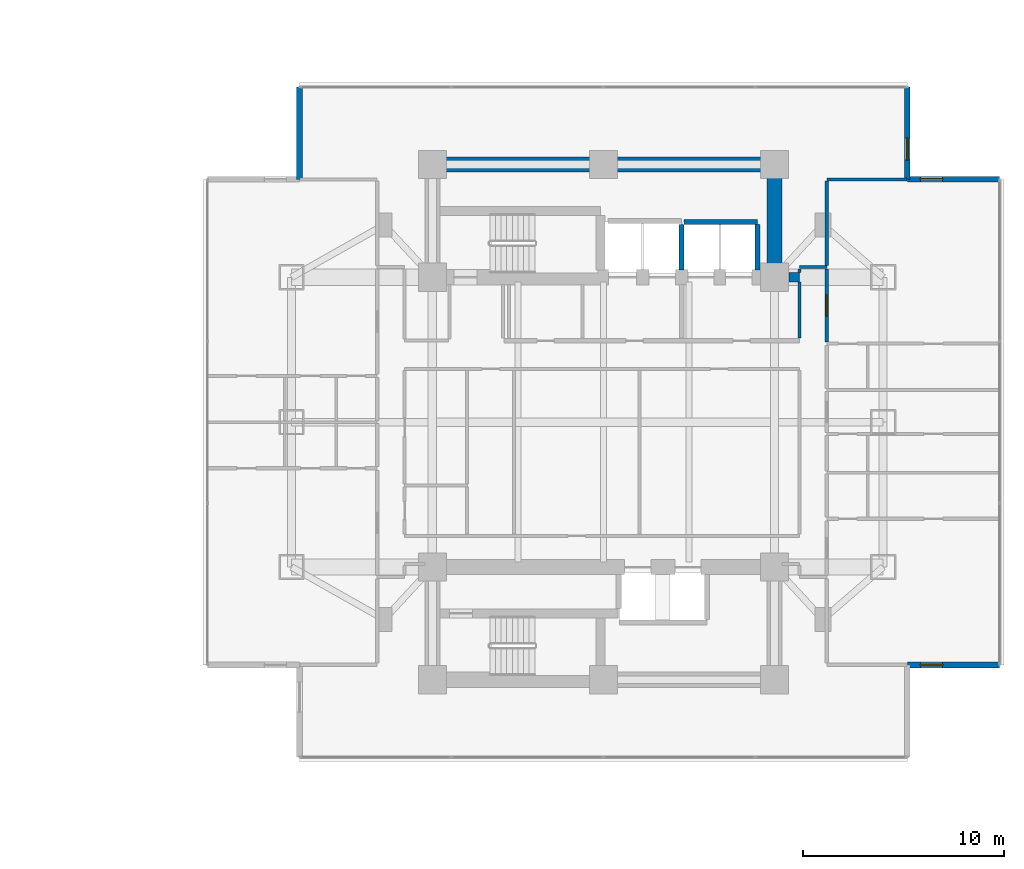
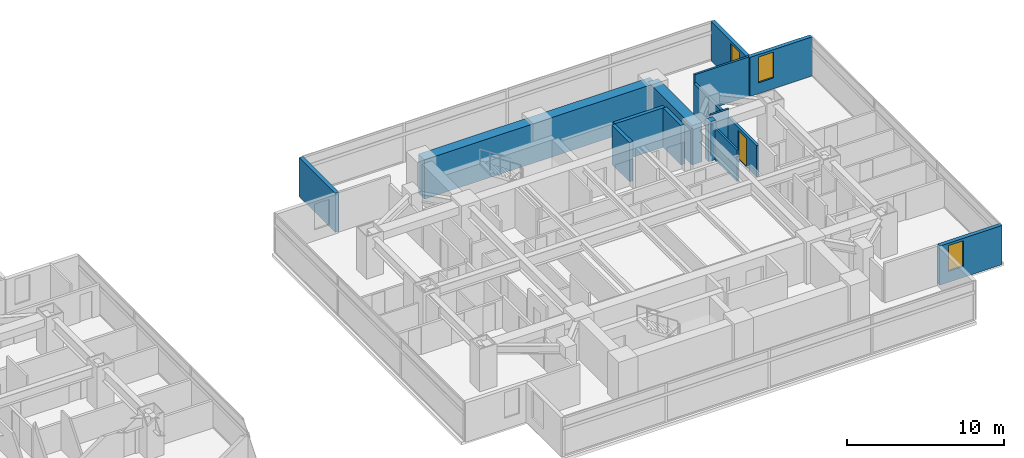
# One storey, part 20 of 26: 16 walls, 3 windows, 1 door, 4 openings.
"""IFC4 building model written with IfcOpenShell, lengths in metres."""

from ifc_helpers import new_model, si_unit, direction, frame, frame_2d, origin, place, context, subcontext, project, spatial, rectangle, extrude, material, layer, layer_set, type_object, element, fill, save


model = new_model("IFC4")

# Units and contexts
model_context = context("Model", 3, precision=1e-05, world=origin(), true_north=direction((0.0, 1.0)))
body_context = subcontext(model_context, "Body", "Model", "MODEL_VIEW")
ifc_project = project(units=[si_unit("LENGTHUNIT", "METRE"), si_unit("AREAUNIT", "SQUARE_METRE"), si_unit("VOLUMEUNIT", "CUBIC_METRE"), si_unit("PLANEANGLEUNIT", "RADIAN"), si_unit("MASSUNIT", "GRAM", prefix="KILO")], contexts=[model_context])

# Site, building, storey
site_placement = place(None, origin())
site = spatial("IfcSite", under=ifc_project, at=site_placement, CompositionType="ELEMENT")
building_placement = place(site_placement, origin())
building = spatial("IfcBuilding", under=site, at=building_placement, Name="Mirazonda Arch Towers", CompositionType="ELEMENT")
storey_placement = place(building_placement, frame((0.0, 0.0, 48.800048828125)))
storey = spatial("IfcBuildingStorey", under=building, at=storey_placement, Name="L13", CompositionType="ELEMENT", Elevation=48.800048828125)

# Walls
ifc_material_1 = material(Name="Concrete C50/60", Category="concrete")
ifc_layer_1 = layer(ifc_material_1, 0.449951171875, Name="WALL-CORE-450")
ifc_layer_set_1 = layer_set([ifc_layer_1], Name="Concrete C50/60")
wall_type_1 = type_object("IfcWallType", Name="WALL-CORE-450", PredefinedType="SHEAR", material=ifc_layer_set_1)
wall_1_placement = place(storey_placement, frame((85.715087890625, 35.199951171875, 0.0), z_axis=(0.0, 0.0, 1.0), x_axis=(1.0, 0.0, 0.0)))
element("IfcWall", 1, at=wall_1_placement, inside=storey, type_object=wall_type_1, Name="L13 Stair Core Shear Wall 050", PredefinedType="SHEAR", context=body_context, shape_type="SweptSolid", body=[
    extrude(rectangle(XDim=0.534912109375, YDim=0.449951171875, at=frame_2d((0.267578125, 0.0))), origin(), (0.0, 0.0, 1.0), 3.06005859375),
])
ifc_material_2 = material(Name="Concrete C60/75", Category="concrete")
ifc_layer_2 = layer(ifc_material_2, 0.75, Name="WALL-CORE-750")
ifc_layer_set_2 = layer_set([ifc_layer_2], Name="Concrete C60/75")
wall_type_2 = type_object("IfcWallType", Name="WALL-CORE-750", PredefinedType="SHEAR", material=ifc_layer_set_2)
wall_2_placement = place(storey_placement, frame((68.0, 40.800048828125, 0.0), z_axis=(0.0, 0.0, 1.0), x_axis=(1.0, 0.0, 0.0)))
element("IfcWall", 2, at=wall_2_placement, inside=storey, type_object=wall_type_2, Name="L13 T2N-N Core Shear Wall", PredefinedType="SHEAR", context=body_context, shape_type="SweptSolid", body=[
    extrude(rectangle(XDim=17.0, YDim=0.75, at=frame_2d((8.5, 0.0))), origin(), (0.0, 0.0, 1.0), 3.06005859375),
])
wall_3_placement = place(storey_placement, frame((85.0, 35.199951171875, 0.0), z_axis=(0.0, 0.0, 1.0), x_axis=(0.0, 1.0, 0.0)))
element("IfcWall", 3, at=wall_3_placement, inside=storey, type_object=wall_type_2, Name="L13 T2N-E Core Shear Wall", PredefinedType="SHEAR", context=body_context, shape_type="SweptSolid", body=[
    extrude(rectangle(XDim=5.60009765625, YDim=0.75, at=frame_2d((2.800048828125, 0.0))), origin(), (0.0, 0.0, 1.0), 3.06005859375),
])

# Wall, opening, window
ifc_material_3 = material(Name="Precast Concrete C40/50", Category="concrete")
ifc_layer_3 = layer(ifc_material_3, 0.280029296875, Name="WALL-EXT-WALL-280")
ifc_layer_set_3 = layer_set([ifc_layer_3], Name="Precast Concrete C40/50")
wall_type_3 = type_object("IfcWallType", Name="WALL-EXT-WALL-280", PredefinedType="SOLIDWALL", material=ifc_layer_set_3)
wall_4_placement = place(storey_placement, frame((91.60400390625, 40.06640625, 0.0), z_axis=(0.0, 0.0, 1.0), x_axis=(0.0, 1.0, 0.0)))
wall_4 = element("IfcWall", 4, at=wall_4_placement, inside=storey, type_object=wall_type_3, Name="L13 T2 Notched NE Corner Wall WL-L13-T2-CNE", PredefinedType="SOLIDWALL", context=body_context, shape_type="SweptSolid", body=[
    extrude(rectangle(XDim=4.580078125, YDim=0.280029296875, at=frame_2d((2.2900390625, 0.0))), origin(), (0.0, 0.0, 1.0), 3.0400390625),
])
opening_1_placement = place(wall_4_placement, frame((0.949951171875, 0.0, 0.85009765625)))
opening_1 = element("IfcOpeningElement", 5, at=opening_1_placement, cuts=wall_4, Name="Opening WN-108", PredefinedType="OPENING", context=body_context, shape_type="SweptSolid", body=[
    extrude(rectangle(XDim=1.10009765625, YDim=2.0, at=frame_2d((0.550048828125, 1.0))), frame((0.0, 0.14990234375, 0.0), z_axis=(0.0, -1.0, 0.0), x_axis=(1.0, 0.0, 0.0)), (0.0, 0.0, 1.0), 0.300048828125),
])
ifc_material_4 = material(Name="Insulated Low-E Solar Glass", Category="glass")
window_type = type_object("IfcWindowType", Name="WIN-NOTCH-1100x2000", PartitioningType="SINGLE_PANEL", PredefinedType="WINDOW", material=ifc_material_4)
window_1_placement = place(opening_1_placement, origin())
window_1 = element("IfcWindow", 6, at=window_1_placement, inside=storey, type_object=window_type, Name="L13 Punched Facade Window WN-L13-T2-CNE", OverallHeight=2.0, OverallWidth=1.10009765625, PartitioningType="SINGLE_PANEL", PredefinedType="WINDOW", context=body_context, shape_type="SweptSolid", body=[
    extrude(rectangle(XDim=1.10009765625, YDim=2.0, at=frame_2d((0.550048828125, 1.0))), frame((0.0, 0.030029296875, 0.0), z_axis=(0.0, -1.0, 0.0), x_axis=(1.0, 0.0, 0.0)), (0.0, 0.0, 1.0), 0.06005859375),
])
fill(opening_1, window_1)

wall_5_placement = place(storey_placement, frame((91.60400390625, 15.93359375, 0.0), z_axis=(0.0, 0.0, 1.0), x_axis=(1.0, 0.0, 0.0)))
wall_5 = element("IfcWall", 7, at=wall_5_placement, inside=storey, type_object=wall_type_3, Name="L13 T2 Corner Notch Return Wall WL-L13-T2-CSE1", PredefinedType="SOLIDWALL", context=body_context, shape_type="SweptSolid", body=[
    extrude(rectangle(XDim=4.580078125, YDim=0.280029296875, at=frame_2d((2.2900390625, 0.0))), origin(), (0.0, 0.0, 1.0), 3.0400390625),
])
opening_2_placement = place(wall_5_placement, frame((0.64990234375, 0.0, 0.85009765625)))
opening_2 = element("IfcOpeningElement", 8, at=opening_2_placement, cuts=wall_5, Name="Opening WN-108", PredefinedType="OPENING", context=body_context, shape_type="SweptSolid", body=[
    extrude(rectangle(XDim=1.10009765625, YDim=2.0, at=frame_2d((0.550048828125, 1.0))), frame((0.0, 0.14990234375, 0.0), z_axis=(0.0, -1.0, 0.0), x_axis=(1.0, 0.0, 0.0)), (0.0, 0.0, 1.0), 0.300048828125),
])
window_2_placement = place(opening_2_placement, origin())
window_2 = element("IfcWindow", 9, at=window_2_placement, inside=storey, type_object=window_type, Name="L13 Punched Facade Window WN-L13-T2-CSE1", OverallHeight=2.0, OverallWidth=1.10009765625, PartitioningType="SINGLE_PANEL", PredefinedType="WINDOW", context=body_context, shape_type="SweptSolid", body=[
    extrude(rectangle(XDim=1.10009765625, YDim=2.0, at=frame_2d((0.550048828125, 1.0))), frame((0.0, 0.030029296875, 0.0), z_axis=(0.0, -1.0, 0.0), x_axis=(1.0, 0.0, 0.0)), (0.0, 0.0, 1.0), 0.06005859375),
])
fill(opening_2, window_2)

# Wall
wall_6_placement = place(storey_placement, frame((61.39599609375, 44.646484375, 0.0), z_axis=(0.0, 0.0, 1.0), x_axis=(0.0, -1.0, 0.0)))
element("IfcWall", 10, at=wall_6_placement, inside=storey, type_object=wall_type_3, Name="L13 T2 Corner Notch Return Wall WL-L13-T2-CNW2", PredefinedType="SOLIDWALL", context=body_context, shape_type="SweptSolid", body=[
    extrude(rectangle(XDim=4.580078125, YDim=0.280029296875, at=frame_2d((2.2900390625, 0.0))), origin(), (0.0, 0.0, 1.0), 3.0400390625),
])

# Wall, opening, window
wall_7_placement = place(storey_placement, frame((96.18408203125, 40.06640625, 0.0), z_axis=(0.0, 0.0, 1.0), x_axis=(-1.0, 0.0, 0.0)))
wall_7 = element("IfcWall", 11, at=wall_7_placement, inside=storey, type_object=wall_type_3, Name="L13 T2 Corner Notch Return Wall WL-L13-T2-CNE2", PredefinedType="SOLIDWALL", context=body_context, shape_type="SweptSolid", body=[
    extrude(rectangle(XDim=4.580078125, YDim=0.280029296875, at=frame_2d((2.2900390625, 0.0))), origin(), (0.0, 0.0, 1.0), 3.0400390625),
])
opening_3_placement = place(wall_7_placement, frame((2.830078125, 0.0, 0.85009765625)))
opening_3 = element("IfcOpeningElement", 12, at=opening_3_placement, cuts=wall_7, Name="Opening WN-108", PredefinedType="OPENING", context=body_context, shape_type="SweptSolid", body=[
    extrude(rectangle(XDim=1.10009765625, YDim=2.0, at=frame_2d((0.550048828125, 1.0))), frame((0.0, 0.14990234375, 0.0), z_axis=(0.0, -1.0, 0.0), x_axis=(1.0, 0.0, 0.0)), (0.0, 0.0, 1.0), 0.300048828125),
])
window_3_placement = place(opening_3_placement, origin())
window_3 = element("IfcWindow", 13, at=window_3_placement, inside=storey, type_object=window_type, Name="L13 Punched Facade Window WN-L13-T2-CNE2", OverallHeight=2.0, OverallWidth=1.10009765625, PartitioningType="SINGLE_PANEL", PredefinedType="WINDOW", context=body_context, shape_type="SweptSolid", body=[
    extrude(rectangle(XDim=1.10009765625, YDim=2.0, at=frame_2d((0.550048828125, 1.0))), frame((0.0, 0.030029296875, 0.0), z_axis=(0.0, -1.0, 0.0), x_axis=(1.0, 0.0, 0.0)), (0.0, 0.0, 1.0), 0.06005859375),
])
fill(opening_3, window_3)

# Walls
ifc_material_5 = material(Name="Fire-Rated Gypsum Stud Partition")
ifc_layer_4 = layer(ifc_material_5, 0.14990234375, Name="WALL-PART-CORR-150")
ifc_layer_set_4 = layer_set([ifc_layer_4], Name="Fire-Rated Gypsum Stud Partition")
wall_type_4 = type_object("IfcWallType", Name="WALL-PART-CORR-150", PredefinedType="PARTITIONING", material=ifc_layer_set_4)
wall_8_placement = place(storey_placement, frame((86.25, 35.699951171875, 0.0), z_axis=(0.0, 0.0, 1.0), x_axis=(1.0, 0.0, 0.0)))
element("IfcWall", 14, at=wall_8_placement, inside=storey, type_object=wall_type_4, Name="L13 Interior Partition 052", PredefinedType="PARTITIONING", context=body_context, shape_type="SweptSolid", body=[
    extrude(rectangle(XDim=1.35009765625, YDim=0.14990234375, at=frame_2d((0.675048828125, 0.0))), origin(), (0.0, 0.0, 1.0), 3.06005859375),
])
wall_9_placement = place(storey_placement, frame((87.60009765625, 40.06591796875, 0.0), z_axis=(0.0, 0.0, 1.0), x_axis=(1.0, 0.0, 0.0)))
element("IfcWall", 15, at=wall_9_placement, inside=storey, type_object=wall_type_4, Name="L13 Interior Partition 058", PredefinedType="PARTITIONING", context=body_context, shape_type="SweptSolid", body=[
    extrude(rectangle(XDim=3.98388671875, YDim=0.14990234375, at=frame_2d((1.991943359375, 0.0))), origin(), (0.0, 0.0, 1.0), 3.06005859375),
])
wall_10_placement = place(storey_placement, frame((86.25, 32.169921875, 0.0), z_axis=(0.0, 0.0, 1.0), x_axis=(0.0, 1.0, 0.0)))
element("IfcWall", 16, at=wall_10_placement, inside=storey, type_object=wall_type_4, Name="L13 Interior Partition 155", PredefinedType="PARTITIONING", context=body_context, shape_type="SweptSolid", body=[
    extrude(rectangle(XDim=2.795166015625, YDim=0.14990234375, at=frame_2d((1.3974609375, 0.0))), origin(), (0.0, 0.0, 1.0), 2.451904296875),
])
wall_11_placement = place(storey_placement, frame((86.25, 35.43505859375, 0.0), z_axis=(0.0, 0.0, 1.0), x_axis=(0.0, 1.0, 0.0)))
element("IfcWall", 17, at=wall_11_placement, inside=storey, type_object=wall_type_4, Name="L13 Interior Partition 156", PredefinedType="PARTITIONING", context=body_context, shape_type="SweptSolid", body=[
    extrude(rectangle(XDim=0.179931640625, YDim=0.14990234375, at=frame_2d((0.08984375, 0.0))), origin(), (0.0, 0.0, 1.0), 2.451904296875),
])

# Wall, opening, door
ifc_material_6 = material(Name="Fire-Rated Gypsum Twin-Stud Assembly")
ifc_layer_5 = layer(ifc_material_6, 0.179931640625, Name="WALL-PART-DEMISE-180")
ifc_layer_set_5 = layer_set([ifc_layer_5], Name="Fire-Rated Gypsum Twin-Stud Assembly")
wall_type_5 = type_object("IfcWallType", Name="WALL-PART-DEMISE-180", PredefinedType="PARTITIONING", material=ifc_layer_set_5)
wall_12_placement = place(storey_placement, frame((87.60009765625, 31.98095703125, 0.0), z_axis=(0.0, 0.0, 1.0), x_axis=(0.0, 1.0, 0.0)))
wall_12 = element("IfcWall", 18, at=wall_12_placement, inside=storey, type_object=wall_type_5, Name="L13 Interior Partition 163", PredefinedType="PARTITIONING", context=body_context, shape_type="SweptSolid", body=[
    extrude(rectangle(XDim=3.634033203125, YDim=0.179931640625, at=frame_2d((1.81689453125, 0.0))), origin(), (0.0, 0.0, 1.0), 2.451904296875),
])
opening_4_placement = place(wall_12_placement, frame((1.2919921875, 0.0, 0.0)))
opening_4 = element("IfcOpeningElement", 19, at=opening_4_placement, cuts=wall_12, Name="Opening DR-121", PredefinedType="OPENING", context=body_context, shape_type="SweptSolid", body=[
    extrude(rectangle(XDim=1.050048828125, YDim=2.199951171875, at=frame_2d((0.52490234375, 1.10009765625))), frame((0.0, 0.099853515625, 0.0), z_axis=(0.0, -1.0, 0.0), x_axis=(1.0, 0.0, 0.0)), (0.0, 0.0, 1.0), 0.199951171875),
])
ifc_material_7 = material(Name="Architectural Brushed Steel S355", Category="steel")
door_type = type_object("IfcDoorType", Name="DOOR-SUITE-FD60-1050", OperationType="NOTDEFINED", PredefinedType="DOOR", material=ifc_material_7)
door_placement = place(opening_4_placement, origin())
door = element("IfcDoor", 20, at=door_placement, inside=storey, type_object=door_type, Name="L13 Studio Apartment 3 Living Salon Door", OperationType="SINGLE_SWING_RIGHT", OverallHeight=2.199951171875, OverallWidth=1.050048828125, PredefinedType="DOOR", context=body_context, shape_type="SweptSolid", body=[
    extrude(rectangle(XDim=1.050048828125, YDim=2.199951171875, at=frame_2d((0.52490234375, 1.10009765625))), frame((0.0, 0.02490234375, 0.0), z_axis=(0.0, -1.0, 0.0), x_axis=(1.0, 0.0, 0.0)), (0.0, 0.0, 1.0), 0.050048828125),
])
fill(opening_4, door)

# Walls
wall_13_placement = place(storey_placement, frame((87.60009765625, 35.784912109375, 0.0), z_axis=(0.0, 0.0, 1.0), x_axis=(0.0, 1.0, 0.0)))
element("IfcWall", 21, at=wall_13_placement, inside=storey, type_object=wall_type_5, Name="L13 Interior Partition 164", PredefinedType="PARTITIONING", context=body_context, shape_type="SweptSolid", body=[
    extrude(rectangle(XDim=4.196044921875, YDim=0.179931640625, at=frame_2d((2.09814453125, 0.0))), origin(), (0.0, 0.0, 1.0), 2.43603515625),
])
ifc_material_8 = material(Name="Concrete C40/50", Category="concrete")
ifc_layer_6 = layer(ifc_material_8, 0.25, Name="WALL-SHAFT-250")
ifc_layer_set_6 = layer_set([ifc_layer_6], Name="Concrete C40/50")
wall_type_6 = type_object("IfcWallType", Name="WALL-SHAFT-250", PredefinedType="SOLIDWALL", material=ifc_layer_set_6)
wall_14_placement = place(storey_placement, frame((80.5, 37.949951171875, 0.0), z_axis=(0.0, 0.0, 1.0), x_axis=(1.0, 0.0, 0.0)))
element("IfcWall", 22, at=wall_14_placement, inside=storey, type_object=wall_type_6, Name="L13 Interior Partition 053", PredefinedType="SOLIDWALL", context=body_context, shape_type="SweptSolid", body=[
    extrude(rectangle(XDim=3.64990234375, YDim=0.25, at=frame_2d((1.824951171875, 0.0))), origin(), (0.0, 0.0, 1.0), 3.06005859375),
])
for number, where, z_axis, x_axis, name in (
    (23, (80.3798828125, 35.570068359375, 0.0), (0.0, 0.0, 1.0), (0.0, 1.0, 0.0), "L13 Interior Partition 150"),
    (24, (84.14990234375, 35.570068359375, 0.0), (0.0, 0.0, 1.0), (0.0, 1.0, 0.0), "L13 Interior Partition 152"),
):
    element("IfcWall", number, at=place(storey_placement, frame(where, z_axis=z_axis, x_axis=x_axis)), inside=storey, type_object=wall_type_6, Name=name, PredefinedType="SOLIDWALL", context=body_context, shape_type="SweptSolid", body=[
        extrude(rectangle(XDim=2.244873046875, YDim=0.25, at=frame_2d((1.12255859375, 0.0))), origin(), (0.0, 0.0, 1.0), 3.06005859375),
    ])

save(model, "model.ifc")
